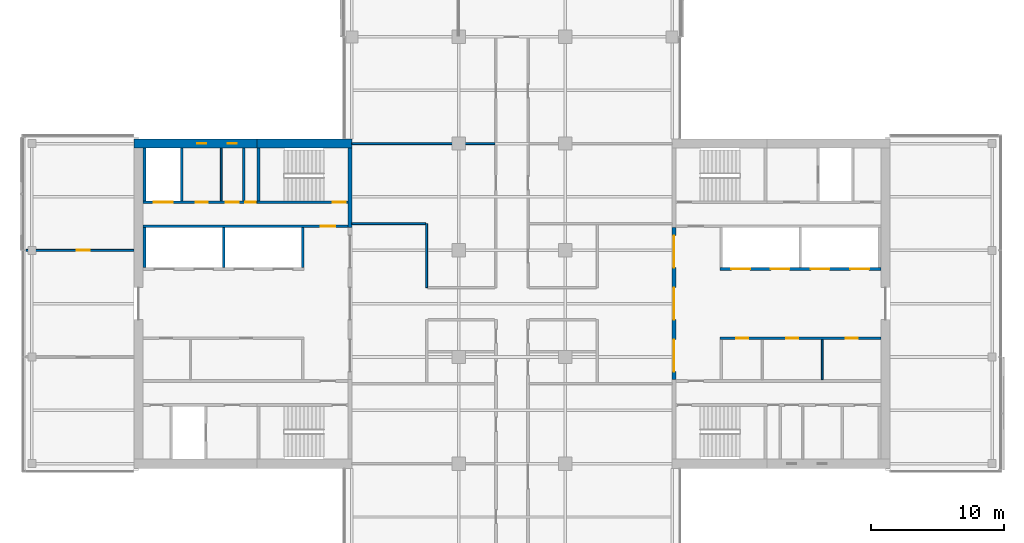
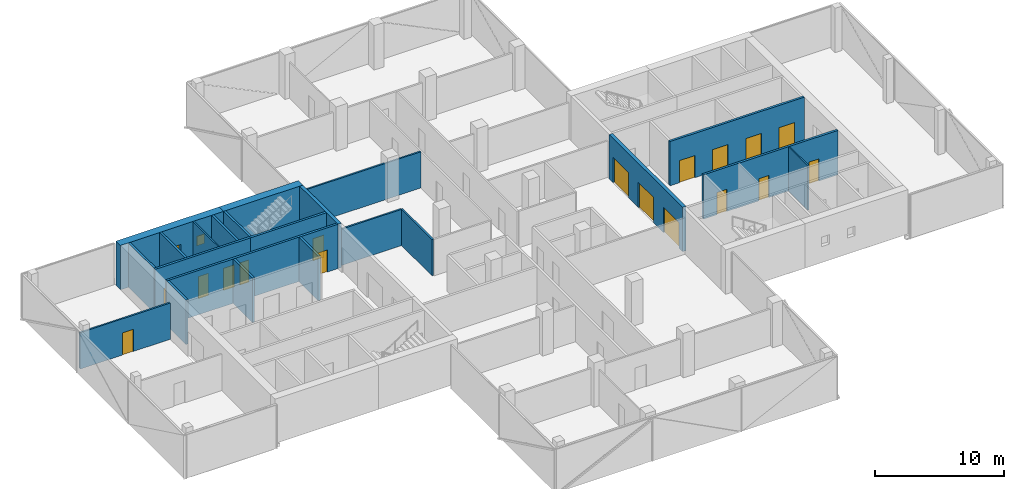
# One storey, part 15 of 22: 22 walls, 17 doors, 2 windows, 19 openings.
"""IFC4 building model written with IfcOpenShell, lengths in metres."""

from ifc_helpers import new_model, si_unit, direction, frame, frame_2d, origin, place, context, subcontext, project, spatial, rectangle, extrude, material, layer, layer_set, constituent, constituent_set, type_object, element, fill, save


model = new_model("IFC4")

# Units and contexts
model_context = context("Model", 3, precision=1e-05, world=origin(), true_north=direction((0.0, 1.0)))
body_context = subcontext(model_context, "Body", "Model", "MODEL_VIEW")
ifc_project = project(units=[si_unit("LENGTHUNIT", "METRE"), si_unit("AREAUNIT", "SQUARE_METRE"), si_unit("VOLUMEUNIT", "CUBIC_METRE"), si_unit("PLANEANGLEUNIT", "RADIAN"), si_unit("MASSUNIT", "GRAM", prefix="KILO")], contexts=[model_context])

# Site, building, storey
site_placement = place(None, origin())
site = spatial("IfcSite", under=ifc_project, at=site_placement, CompositionType="ELEMENT")
building_placement = place(site_placement, origin())
building = spatial("IfcBuilding", under=site, at=building_placement, Name="Crosswind Convention Tower", CompositionType="ELEMENT")
storey_placement = place(building_placement, frame((0.0, 0.0, 158.89990234375)))
storey = spatial("IfcBuildingStorey", under=building, at=storey_placement, Name="L33", CompositionType="ELEMENT", Elevation=158.89990234375)

# Wall
ifc_material_1 = material(Name="Concrete blockwork", Category="masonry")
ifc_layer_1 = layer(ifc_material_1, 0.199951171875)
ifc_layer_set_1 = layer_set([ifc_layer_1], Name="Blockwork partition wall 200")
wall_type_1 = type_object("IfcWallType", Name="Blockwork partition wall 200", PredefinedType="PARTITIONING", material=ifc_layer_set_1)
wall_1_placement = place(storey_placement, frame((104.89990234375, 111.64990234375, 0.0), z_axis=(0.0, 0.0, 1.0), x_axis=(0.0, -1.0, 0.0)))
element("IfcWall", 1, at=wall_1_placement, inside=storey, type_object=wall_type_1, Name="Wall MRSE W L33", PredefinedType="PARTITIONING", context=body_context, shape_type="SweptSolid", body=[
    extrude(rectangle(XDim=3.949951171875, YDim=0.199951171875, at=frame_2d((1.97509765625, 0.0))), origin(), (0.0, 0.0, 1.0), 4.2001953125),
])

# Wall, openings, doors
ifc_material_2 = material(Name="Concrete C50/60", Category="concrete")
ifc_layer_2 = layer(ifc_material_2, 0.300048828125)
ifc_layer_set_2 = layer_set([ifc_layer_2], Name="Concrete C50/60")
wall_type_2 = type_object("IfcWallType", Name="Concrete inner core wall 300", PredefinedType="SHEAR", material=ifc_layer_set_2)
wall_2_placement = place(storey_placement, frame((137.14990234375, 94.300048828125, 0.0), z_axis=(0.0, 0.0, 1.0), x_axis=(0.0, 1.0, 0.0)))
wall_2 = element("IfcWall", 2, at=wall_2_placement, inside=storey, type_object=wall_type_2, Name="Wall SCR E L33", PredefinedType="SHEAR", context=body_context, shape_type="SweptSolid", body=[
    extrude(rectangle(XDim=11.39990234375, YDim=0.300048828125, at=frame_2d((5.699951171875, 0.0))), origin(), (0.0, 0.0, 1.0), 4.2001953125),
])
opening_1_placement = place(wall_2_placement, frame((0.60009765625, 0.0, 0.0)))
opening_1 = element("IfcOpeningElement", 3, at=opening_1_placement, cuts=wall_2, Name="Opening D100", PredefinedType="OPENING", context=body_context, shape_type="SweptSolid", body=[
    extrude(rectangle(XDim=2.39990234375, YDim=2.39990234375, at=frame_2d((1.199951171875, 1.199951171875))), frame((0.0, 0.159912109375, 0.0), z_axis=(0.0, -1.0, 0.0), x_axis=(1.0, 0.0, 0.0)), (0.0, 0.0, 1.0), 0.320068359375),
])
opening_2_placement = place(wall_2_placement, frame((4.5, 0.0, 0.0)))
opening_2 = element("IfcOpeningElement", 4, at=opening_2_placement, cuts=wall_2, Name="Opening D100", PredefinedType="OPENING", context=body_context, shape_type="SweptSolid", body=[
    extrude(rectangle(XDim=2.39990234375, YDim=2.39990234375, at=frame_2d((1.199951171875, 1.199951171875))), frame((0.0, 0.159912109375, 0.0), z_axis=(0.0, -1.0, 0.0), x_axis=(1.0, 0.0, 0.0)), (0.0, 0.0, 1.0), 0.320068359375),
])
opening_3_placement = place(wall_2_placement, frame((8.39990234375, 0.0, 0.0)))
opening_3 = element("IfcOpeningElement", 5, at=opening_3_placement, cuts=wall_2, Name="Opening D100", PredefinedType="OPENING", context=body_context, shape_type="SweptSolid", body=[
    extrude(rectangle(XDim=2.39990234375, YDim=2.39990234375, at=frame_2d((1.199951171875, 1.199951171875))), frame((0.0, 0.159912109375, 0.0), z_axis=(0.0, -1.0, 0.0), x_axis=(1.0, 0.0, 0.0)), (0.0, 0.0, 1.0), 0.320068359375),
])
ifc_material_3 = material(Name="Steel fire door with glazed vision panels", Category="steel")
door_type_1 = type_object("IfcDoorType", Name="Fire-rated double door 2400x2400", OperationType="DOUBLE_DOOR_SINGLE_SWING", PredefinedType="DOOR", material=ifc_material_3)
door_1_placement = place(opening_1_placement, origin())
door_1 = element("IfcDoor", 6, at=door_1_placement, inside=storey, type_object=door_type_1, Name="Lobby door 1 L33", ObjectType="D100", OperationType="DOUBLE_DOOR_SINGLE_SWING", OverallHeight=2.39990234375, OverallWidth=2.39990234375, PredefinedType="DOOR", context=body_context, shape_type="SweptSolid", body=[
    extrude(rectangle(XDim=2.39990234375, YDim=2.39990234375, at=frame_2d((1.199951171875, 1.199951171875))), frame((0.0, 0.02490234375, 0.0), z_axis=(0.0, -1.0, 0.0), x_axis=(1.0, 0.0, 0.0)), (0.0, 0.0, 1.0), 0.050048828125),
])
fill(opening_1, door_1)
door_2_placement = place(opening_2_placement, origin())
door_2 = element("IfcDoor", 7, at=door_2_placement, inside=storey, type_object=door_type_1, Name="Lobby door 2 L33", ObjectType="D100", OperationType="DOUBLE_DOOR_SINGLE_SWING", OverallHeight=2.39990234375, OverallWidth=2.39990234375, PredefinedType="DOOR", context=body_context, shape_type="SweptSolid", body=[
    extrude(rectangle(XDim=2.39990234375, YDim=2.39990234375, at=frame_2d((1.199951171875, 1.199951171875))), frame((0.0, 0.02490234375, 0.0), z_axis=(0.0, -1.0, 0.0), x_axis=(1.0, 0.0, 0.0)), (0.0, 0.0, 1.0), 0.050048828125),
])
fill(opening_2, door_2)
door_3_placement = place(opening_3_placement, origin())
door_3 = element("IfcDoor", 8, at=door_3_placement, inside=storey, type_object=door_type_1, Name="Lobby door 3 L33", ObjectType="D100", OperationType="DOUBLE_DOOR_SINGLE_SWING", OverallHeight=2.39990234375, OverallWidth=2.39990234375, PredefinedType="DOOR", context=body_context, shape_type="SweptSolid", body=[
    extrude(rectangle(XDim=2.39990234375, YDim=2.39990234375, at=frame_2d((1.199951171875, 1.199951171875))), frame((0.0, 0.02490234375, 0.0), z_axis=(0.0, -1.0, 0.0), x_axis=(1.0, 0.0, 0.0)), (0.0, 0.0, 1.0), 0.050048828125),
])
fill(opening_3, door_3)

# Wall
wall_3_placement = place(storey_placement, frame((112.85009765625, 111.64990234375, 0.0), z_axis=(0.0, 0.0, 1.0), x_axis=(0.0, -1.0, 0.0)))
element("IfcWall", 9, at=wall_3_placement, inside=storey, type_object=wall_type_2, Name="Wall EM W L33", PredefinedType="SHEAR", context=body_context, shape_type="SweptSolid", body=[
    extrude(rectangle(XDim=5.949951171875, YDim=0.300048828125, at=frame_2d((2.97509765625, 0.0))), origin(), (0.0, 0.0, 1.0), 4.2001953125),
])

# Wall, openings, doors
ifc_layer_3 = layer(ifc_material_2, 0.199951171875)
ifc_layer_set_3 = layer_set([ifc_layer_3], Name="Concrete C50/60")
wall_type_3 = type_object("IfcWallType", Name="Concrete shaft and stair wall 200", PredefinedType="SHEAR", material=ifc_layer_set_3)
wall_4_placement = place(storey_placement, frame((140.60009765625, 102.60009765625, 0.0), z_axis=(0.0, 0.0, 1.0), x_axis=(1.0, 0.0, 0.0)))
wall_4 = element("IfcWall", 10, at=wall_4_placement, inside=storey, type_object=wall_type_3, Name="Wall RPFRONT E L33", PredefinedType="SHEAR", context=body_context, shape_type="SweptSolid", body=[
    extrude(rectangle(XDim=12.0498046875, YDim=0.199951171875, at=frame_2d((6.02490234375, 0.0))), origin(), (0.0, 0.0, 1.0), 4.2001953125),
])
opening_4_placement = place(wall_4_placement, frame((0.85009765625, 0.0, 0.0)))
opening_4 = element("IfcOpeningElement", 11, at=opening_4_placement, cuts=wall_4, Name="Opening LD2", PredefinedType="OPENING", context=body_context, shape_type="SweptSolid", body=[
    extrude(rectangle(XDim=1.39990234375, YDim=2.10009765625, at=frame_2d((0.699951171875, 1.050048828125))), frame((0.0, 0.10986328125, 0.0), z_axis=(0.0, -1.0, 0.0), x_axis=(1.0, 0.0, 0.0)), (0.0, 0.0, 1.0), 0.219970703125),
])
opening_5_placement = place(wall_4_placement, frame((3.800048828125, 0.0, 0.0)))
opening_5 = element("IfcOpeningElement", 12, at=opening_5_placement, cuts=wall_4, Name="Opening LD2", PredefinedType="OPENING", context=body_context, shape_type="SweptSolid", body=[
    extrude(rectangle(XDim=1.39990234375, YDim=2.10009765625, at=frame_2d((0.699951171875, 1.050048828125))), frame((0.0, 0.10986328125, 0.0), z_axis=(0.0, -1.0, 0.0), x_axis=(1.0, 0.0, 0.0)), (0.0, 0.0, 1.0), 0.219970703125),
])
opening_6_placement = place(wall_4_placement, frame((6.800048828125, 0.0, 0.0)))
opening_6 = element("IfcOpeningElement", 13, at=opening_6_placement, cuts=wall_4, Name="Opening LD2", PredefinedType="OPENING", context=body_context, shape_type="SweptSolid", body=[
    extrude(rectangle(XDim=1.39990234375, YDim=2.10009765625, at=frame_2d((0.699951171875, 1.050048828125))), frame((0.0, 0.10986328125, 0.0), z_axis=(0.0, -1.0, 0.0), x_axis=(1.0, 0.0, 0.0)), (0.0, 0.0, 1.0), 0.219970703125),
])
opening_7_placement = place(wall_4_placement, frame((9.77490234375, 0.0, 0.0)))
opening_7 = element("IfcOpeningElement", 14, at=opening_7_placement, cuts=wall_4, Name="Opening LD2", PredefinedType="OPENING", context=body_context, shape_type="SweptSolid", body=[
    extrude(rectangle(XDim=1.39990234375, YDim=2.10009765625, at=frame_2d((0.699951171875, 1.050048828125))), frame((0.0, 0.10986328125, 0.0), z_axis=(0.0, -1.0, 0.0), x_axis=(1.0, 0.0, 0.0)), (0.0, 0.0, 1.0), 0.219970703125),
])
ifc_material_4 = material(Name="Stainless steel", Category="steel")
door_type_2 = type_object("IfcDoorType", Name="Lift landing door 1400x2100", OperationType="DOUBLE_DOOR_SLIDING", PredefinedType="DOOR", material=ifc_material_4)
door_4_placement = place(opening_4_placement, origin())
door_4 = element("IfcDoor", 15, at=door_4_placement, inside=storey, type_object=door_type_2, Name="Landing door A1 L33", ObjectType="LD2", OperationType="DOUBLE_DOOR_SLIDING", OverallHeight=2.10009765625, OverallWidth=1.39990234375, PredefinedType="DOOR", context=body_context, shape_type="SweptSolid", body=[
    extrude(rectangle(XDim=1.39990234375, YDim=2.10009765625, at=frame_2d((0.699951171875, 1.050048828125))), frame((0.0, 0.02490234375, 0.0), z_axis=(0.0, -1.0, 0.0), x_axis=(1.0, 0.0, 0.0)), (0.0, 0.0, 1.0), 0.050048828125),
])
fill(opening_4, door_4)
door_5_placement = place(opening_5_placement, origin())
door_5 = element("IfcDoor", 16, at=door_5_placement, inside=storey, type_object=door_type_2, Name="Landing door A2 L33", ObjectType="LD2", OperationType="DOUBLE_DOOR_SLIDING", OverallHeight=2.10009765625, OverallWidth=1.39990234375, PredefinedType="DOOR", context=body_context, shape_type="SweptSolid", body=[
    extrude(rectangle(XDim=1.39990234375, YDim=2.10009765625, at=frame_2d((0.699951171875, 1.050048828125))), frame((0.0, 0.02490234375, 0.0), z_axis=(0.0, -1.0, 0.0), x_axis=(1.0, 0.0, 0.0)), (0.0, 0.0, 1.0), 0.050048828125),
])
fill(opening_5, door_5)
door_6_placement = place(opening_6_placement, origin())
door_6 = element("IfcDoor", 17, at=door_6_placement, inside=storey, type_object=door_type_2, Name="Landing door A3 L33", ObjectType="LD2", OperationType="DOUBLE_DOOR_SLIDING", OverallHeight=2.10009765625, OverallWidth=1.39990234375, PredefinedType="DOOR", context=body_context, shape_type="SweptSolid", body=[
    extrude(rectangle(XDim=1.39990234375, YDim=2.10009765625, at=frame_2d((0.699951171875, 1.050048828125))), frame((0.0, 0.02490234375, 0.0), z_axis=(0.0, -1.0, 0.0), x_axis=(1.0, 0.0, 0.0)), (0.0, 0.0, 1.0), 0.050048828125),
])
fill(opening_6, door_6)
door_7_placement = place(opening_7_placement, origin())
door_7 = element("IfcDoor", 18, at=door_7_placement, inside=storey, type_object=door_type_2, Name="Landing door A4 L33", ObjectType="LD2", OperationType="DOUBLE_DOOR_SLIDING", OverallHeight=2.10009765625, OverallWidth=1.39990234375, PredefinedType="DOOR", context=body_context, shape_type="SweptSolid", body=[
    extrude(rectangle(XDim=1.39990234375, YDim=2.10009765625, at=frame_2d((0.699951171875, 1.050048828125))), frame((0.0, 0.02490234375, 0.0), z_axis=(0.0, -1.0, 0.0), x_axis=(1.0, 0.0, 0.0)), (0.0, 0.0, 1.0), 0.050048828125),
])
fill(opening_7, door_7)

wall_5_placement = place(storey_placement, frame((140.60009765625, 97.39990234375, 0.0), z_axis=(0.0, 0.0, 1.0), x_axis=(1.0, 0.0, 0.0)))
wall_5 = element("IfcWall", 19, at=wall_5_placement, inside=storey, type_object=wall_type_3, Name="Wall RMFRONT E L33", PredefinedType="SHEAR", context=body_context, shape_type="SweptSolid", body=[
    extrude(rectangle(XDim=12.0498046875, YDim=0.199951171875, at=frame_2d((6.02490234375, 0.0))), origin(), (0.0, 0.0, 1.0), 4.2001953125),
])
opening_8_placement = place(wall_5_placement, frame((1.199951171875, 0.0, 0.0)))
opening_8 = element("IfcOpeningElement", 20, at=opening_8_placement, cuts=wall_5, Name="Opening D106", PredefinedType="OPENING", context=body_context, shape_type="SweptSolid", body=[
    extrude(rectangle(XDim=0.89990234375, YDim=2.10009765625, at=frame_2d((0.449951171875, 1.050048828125))), frame((0.0, 0.10986328125, 0.0), z_axis=(0.0, -1.0, 0.0), x_axis=(1.0, 0.0, 0.0)), (0.0, 0.0, 1.0), 0.219970703125),
])
opening_9_placement = place(wall_5_placement, frame((4.964111328125, 0.0, 0.0)))
opening_9 = element("IfcOpeningElement", 21, at=opening_9_placement, cuts=wall_5, Name="Opening D106", PredefinedType="OPENING", context=body_context, shape_type="SweptSolid", body=[
    extrude(rectangle(XDim=0.89990234375, YDim=2.10009765625, at=frame_2d((0.449951171875, 1.050048828125))), frame((0.0, 0.10986328125, 0.0), z_axis=(0.0, -1.0, 0.0), x_axis=(1.0, 0.0, 0.0)), (0.0, 0.0, 1.0), 0.219970703125),
])
opening_10_placement = place(wall_5_placement, frame((9.43896484375, 0.0, 0.0)))
opening_10 = element("IfcOpeningElement", 22, at=opening_10_placement, cuts=wall_5, Name="Opening D106", PredefinedType="OPENING", context=body_context, shape_type="SweptSolid", body=[
    extrude(rectangle(XDim=0.89990234375, YDim=2.10009765625, at=frame_2d((0.449951171875, 1.050048828125))), frame((0.0, 0.10986328125, 0.0), z_axis=(0.0, -1.0, 0.0), x_axis=(1.0, 0.0, 0.0)), (0.0, 0.0, 1.0), 0.219970703125),
])
ifc_material_5 = material(Name="Timber door", Category="wood")
door_type_3 = type_object("IfcDoorType", Name="Single leaf door 900x2100", OperationType="NOTDEFINED", PredefinedType="DOOR", material=ifc_material_5)
door_8_placement = place(opening_8_placement, frame((0.89990234375, 0.0, 0.0), z_axis=(0.0, 0.0, 1.0), x_axis=(-1.0, 0.0, 0.0)))
door_8 = element("IfcDoor", 23, at=door_8_placement, inside=storey, type_object=door_type_3, Name="Door to copy and print room L33", ObjectType="D106", OperationType="SINGLE_SWING_LEFT", OverallHeight=2.10009765625, OverallWidth=0.89990234375, PredefinedType="DOOR", context=body_context, shape_type="SweptSolid", body=[
    extrude(rectangle(XDim=0.89990234375, YDim=2.10009765625, at=frame_2d((0.449951171875, 1.050048828125))), frame((0.0, 0.02490234375, 0.0), z_axis=(0.0, -1.0, 0.0), x_axis=(1.0, 0.0, 0.0)), (0.0, 0.0, 1.0), 0.050048828125),
])
fill(opening_8, door_8)
door_9_placement = place(opening_9_placement, frame((0.89990234375, 0.0, 0.0), z_axis=(0.0, 0.0, 1.0), x_axis=(-1.0, 0.0, 0.0)))
door_9 = element("IfcDoor", 24, at=door_9_placement, inside=storey, type_object=door_type_3, Name="Door to meeting room L33", ObjectType="D106", OperationType="SINGLE_SWING_LEFT", OverallHeight=2.10009765625, OverallWidth=0.89990234375, PredefinedType="DOOR", context=body_context, shape_type="SweptSolid", body=[
    extrude(rectangle(XDim=0.89990234375, YDim=2.10009765625, at=frame_2d((0.449951171875, 1.050048828125))), frame((0.0, 0.02490234375, 0.0), z_axis=(0.0, -1.0, 0.0), x_axis=(1.0, 0.0, 0.0)), (0.0, 0.0, 1.0), 0.050048828125),
])
fill(opening_9, door_9)
door_10_placement = place(opening_10_placement, frame((0.89990234375, 0.0, 0.0), z_axis=(0.0, 0.0, 1.0), x_axis=(-1.0, 0.0, 0.0)))
door_10 = element("IfcDoor", 25, at=door_10_placement, inside=storey, type_object=door_type_3, Name="Door to pantry L33", ObjectType="D106", OperationType="SINGLE_SWING_LEFT", OverallHeight=2.10009765625, OverallWidth=0.89990234375, PredefinedType="DOOR", context=body_context, shape_type="SweptSolid", body=[
    extrude(rectangle(XDim=0.89990234375, YDim=2.10009765625, at=frame_2d((0.449951171875, 1.050048828125))), frame((0.0, 0.02490234375, 0.0), z_axis=(0.0, -1.0, 0.0), x_axis=(1.0, 0.0, 0.0)), (0.0, 0.0, 1.0), 0.050048828125),
])
fill(opening_10, door_10)

# Walls
for number, where, z_axis, x_axis, name in (
    (26, (109.300048828125, 105.699951171875, 0.0), (0.0, 0.0, 1.0), (0.0, -1.0, 0.0), "Wall RMEND W L33"),
    (27, (103.39990234375, 105.699951171875, 0.0), (0.0, 0.0, 1.0), (0.0, -1.0, 0.0), "Wall RMSEP W L33"),
    (28, (97.449951171875, 105.699951171875, 0.0), (0.0, 0.0, 1.0), (0.0, -1.0, 0.0), "Wall RMEAST W L33"),
):
    element("IfcWall", number, at=place(storey_placement, frame(where, z_axis=z_axis, x_axis=x_axis)), inside=storey, type_object=wall_type_3, Name=name, PredefinedType="SHEAR", context=body_context, shape_type="SweptSolid", body=[
        extrude(rectangle(XDim=3.0, YDim=0.199951171875, at=frame_2d((1.5, 0.0))), origin(), (0.0, 0.0, 1.0), 4.2001953125),
    ])

# Wall, opening, door
wall_6_placement = place(storey_placement, frame((112.699951171875, 105.800048828125, 0.0), z_axis=(0.0, 0.0, 1.0), x_axis=(-1.0, 0.0, 0.0)))
wall_6 = element("IfcWall", 29, at=wall_6_placement, inside=storey, type_object=wall_type_3, Name="Wall HM W L33", PredefinedType="SHEAR", context=body_context, shape_type="SweptSolid", body=[
    extrude(rectangle(XDim=15.349853515625, YDim=0.199951171875, at=frame_2d((7.6748046875, 0.0))), origin(), (0.0, 0.0, 1.0), 4.2001953125),
])
opening_11_placement = place(wall_6_placement, frame((0.949951171875, 0.0, 0.0)))
opening_11 = element("IfcOpeningElement", 30, at=opening_11_placement, cuts=wall_6, Name="Opening D104", PredefinedType="OPENING", context=body_context, shape_type="SweptSolid", body=[
    extrude(rectangle(XDim=1.10009765625, YDim=2.10009765625, at=frame_2d((0.550048828125, 1.050048828125))), frame((0.0, 0.10986328125, 0.0), z_axis=(0.0, -1.0, 0.0), x_axis=(1.0, 0.0, 0.0)), (0.0, 0.0, 1.0), 0.219970703125),
])
ifc_material_6 = material(Name="Steel fire door", Category="steel")
door_type_4 = type_object("IfcDoorType", Name="Fire-rated single door 1100x2100", OperationType="NOTDEFINED", PredefinedType="DOOR", material=ifc_material_6)
door_11_placement = place(opening_11_placement, origin())
door_11 = element("IfcDoor", 31, at=door_11_placement, inside=storey, type_object=door_type_4, Name="Corridor door L33", ObjectType="D104", OperationType="SINGLE_SWING_LEFT", OverallHeight=2.10009765625, OverallWidth=1.10009765625, PredefinedType="DOOR", context=body_context, shape_type="SweptSolid", body=[
    extrude(rectangle(XDim=1.10009765625, YDim=2.10009765625, at=frame_2d((0.550048828125, 1.050048828125))), frame((0.0, 0.02490234375, 0.0), z_axis=(0.0, -1.0, 0.0), x_axis=(1.0, 0.0, 0.0)), (0.0, 0.0, 1.0), 0.050048828125),
])
fill(opening_11, door_11)

# Walls
for number, where, z_axis, x_axis, name in (
    (32, (106.0, 111.64990234375, 0.0), (0.0, 0.0, 1.0), (0.0, -1.0, 0.0), "Wall MSE W L33"),
    (33, (100.25, 111.64990234375, 0.0), (0.0, 0.0, 1.0), (0.0, -1.0, 0.0), "Wall MFSW W L33"),
    (34, (97.449951171875, 111.64990234375, 0.0), (0.0, 0.0, 1.0), (0.0, -1.0, 0.0), "Wall MFSE W L33"),
):
    element("IfcWall", number, at=place(storey_placement, frame(where, z_axis=z_axis, x_axis=x_axis)), inside=storey, type_object=wall_type_3, Name=name, PredefinedType="SHEAR", context=body_context, shape_type="SweptSolid", body=[
        extrude(rectangle(XDim=3.949951171875, YDim=0.199951171875, at=frame_2d((1.97509765625, 0.0))), origin(), (0.0, 0.0, 1.0), 4.2001953125),
    ])

# Wall, opening, door
wall_7_placement = place(storey_placement, frame((112.699951171875, 107.60009765625, 0.0), z_axis=(0.0, 0.0, 1.0), x_axis=(-1.0, 0.0, 0.0)))
wall_7 = element("IfcWall", 35, at=wall_7_placement, inside=storey, type_object=wall_type_3, Name="Wall MCW W L33", PredefinedType="SHEAR", context=body_context, shape_type="SweptSolid", body=[
    extrude(rectangle(XDim=6.800048828125, YDim=0.199951171875, at=frame_2d((3.39990234375, 0.0))), origin(), (0.0, 0.0, 1.0), 4.2001953125),
])
opening_12_placement = place(wall_7_placement, frame((0.14990234375, 0.0, 0.0)))
opening_12 = element("IfcOpeningElement", 36, at=opening_12_placement, cuts=wall_7, Name="Opening D103", PredefinedType="OPENING", context=body_context, shape_type="SweptSolid", body=[
    extrude(rectangle(XDim=1.0, YDim=2.10009765625, at=frame_2d((0.5, 1.050048828125))), frame((0.0, 0.10986328125, 0.0), z_axis=(0.0, -1.0, 0.0), x_axis=(1.0, 0.0, 0.0)), (0.0, 0.0, 1.0), 0.219970703125),
])
door_type_5 = type_object("IfcDoorType", Name="Fire-rated single door 1000x2100", OperationType="NOTDEFINED", PredefinedType="DOOR", material=ifc_material_6)
door_12_placement = place(opening_12_placement, frame((1.0, 0.0, 0.0), z_axis=(0.0, 0.0, 1.0), x_axis=(-1.0, 0.0, 0.0)))
door_12 = element("IfcDoor", 37, at=door_12_placement, inside=storey, type_object=door_type_5, Name="Stair ST4 door L33", ObjectType="D103", OperationType="SINGLE_SWING_RIGHT", OverallHeight=2.10009765625, OverallWidth=1.0, PredefinedType="DOOR", context=body_context, shape_type="SweptSolid", body=[
    extrude(rectangle(XDim=1.0, YDim=2.10009765625, at=frame_2d((0.5, 1.050048828125))), frame((0.0, 0.02490234375, 0.0), z_axis=(0.0, -1.0, 0.0), x_axis=(1.0, 0.0, 0.0)), (0.0, 0.0, 1.0), 0.050048828125),
])
fill(opening_12, door_12)

# Wall, openings, doors
wall_8_placement = place(storey_placement, frame((105.89990234375, 107.60009765625, 0.0), z_axis=(0.0, 0.0, 1.0), x_axis=(-1.0, 0.0, 0.0)))
wall_8 = element("IfcWall", 38, at=wall_8_placement, inside=storey, type_object=wall_type_3, Name="Wall MCX W L33", PredefinedType="SHEAR", context=body_context, shape_type="SweptSolid", body=[
    extrude(rectangle(XDim=8.5498046875, YDim=0.199951171875, at=frame_2d((4.27490234375, 0.0))), origin(), (0.0, 0.0, 1.0), 4.2001953125),
])
opening_13_placement = place(wall_8_placement, frame((0.10009765625, 0.0, 0.0)))
opening_13 = element("IfcOpeningElement", 39, at=opening_13_placement, cuts=wall_8, Name="Opening D105", PredefinedType="OPENING", context=body_context, shape_type="SweptSolid", body=[
    extrude(rectangle(XDim=0.800048828125, YDim=2.10009765625, at=frame_2d((0.39990234375, 1.050048828125))), frame((0.0, 0.10986328125, 0.0), z_axis=(0.0, -1.0, 0.0), x_axis=(1.0, 0.0, 0.0)), (0.0, 0.0, 1.0), 0.219970703125),
])
opening_14_placement = place(wall_8_placement, frame((1.36962890625, 0.0, 0.0)))
opening_14 = element("IfcOpeningElement", 40, at=opening_14_placement, cuts=wall_8, Name="Opening D103", PredefinedType="OPENING", context=body_context, shape_type="SweptSolid", body=[
    extrude(rectangle(XDim=1.0, YDim=2.10009765625, at=frame_2d((0.5, 1.050048828125))), frame((0.0, 0.10986328125, 0.0), z_axis=(0.0, -1.0, 0.0), x_axis=(1.0, 0.0, 0.0)), (0.0, 0.0, 1.0), 0.219970703125),
])
opening_15_placement = place(wall_8_placement, frame((3.707275390625, 0.0, 0.0)))
opening_15 = element("IfcOpeningElement", 41, at=opening_15_placement, cuts=wall_8, Name="Opening D106", PredefinedType="OPENING", context=body_context, shape_type="SweptSolid", body=[
    extrude(rectangle(XDim=0.89990234375, YDim=2.10009765625, at=frame_2d((0.449951171875, 1.050048828125))), frame((0.0, 0.10986328125, 0.0), z_axis=(0.0, -1.0, 0.0), x_axis=(1.0, 0.0, 0.0)), (0.0, 0.0, 1.0), 0.219970703125),
])
opening_16_placement = place(wall_8_placement, frame((6.35009765625, 0.0, 0.0)))
opening_16 = element("IfcOpeningElement", 42, at=opening_16_placement, cuts=wall_8, Name="Opening LD2", PredefinedType="OPENING", context=body_context, shape_type="SweptSolid", body=[
    extrude(rectangle(XDim=1.39990234375, YDim=2.10009765625, at=frame_2d((0.699951171875, 1.050048828125))), frame((0.0, 0.10986328125, 0.0), z_axis=(0.0, -1.0, 0.0), x_axis=(1.0, 0.0, 0.0)), (0.0, 0.0, 1.0), 0.219970703125),
])
door_13_placement = place(opening_14_placement, frame((1.0, 0.0, 0.0), z_axis=(0.0, 0.0, 1.0), x_axis=(-1.0, 0.0, 0.0)))
door_13 = element("IfcDoor", 43, at=door_13_placement, inside=storey, type_object=door_type_5, Name="Door to accessible wc L33", ObjectType="D103", OperationType="SINGLE_SWING_LEFT", OverallHeight=2.10009765625, OverallWidth=1.0, PredefinedType="DOOR", context=body_context, shape_type="SweptSolid", body=[
    extrude(rectangle(XDim=1.0, YDim=2.10009765625, at=frame_2d((0.5, 1.050048828125))), frame((0.0, 0.02490234375, 0.0), z_axis=(0.0, -1.0, 0.0), x_axis=(1.0, 0.0, 0.0)), (0.0, 0.0, 1.0), 0.050048828125),
])
fill(opening_14, door_13)
door_14_placement = place(opening_16_placement, origin())
door_14 = element("IfcDoor", 44, at=door_14_placement, inside=storey, type_object=door_type_2, Name="Landing door SV2 L33", ObjectType="LD2", OperationType="DOUBLE_DOOR_SLIDING", OverallHeight=2.10009765625, OverallWidth=1.39990234375, PredefinedType="DOOR", context=body_context, shape_type="SweptSolid", body=[
    extrude(rectangle(XDim=1.39990234375, YDim=2.10009765625, at=frame_2d((0.699951171875, 1.050048828125))), frame((0.0, 0.02490234375, 0.0), z_axis=(0.0, -1.0, 0.0), x_axis=(1.0, 0.0, 0.0)), (0.0, 0.0, 1.0), 0.050048828125),
])
fill(opening_16, door_14)
door_type_6 = type_object("IfcDoorType", Name="Riser access door 800x2100", OperationType="NOTDEFINED", PredefinedType="DOOR", material=ifc_material_6)
door_15_placement = place(opening_13_placement, frame((0.800048828125, 0.0, 0.0), z_axis=(0.0, 0.0, 1.0), x_axis=(-1.0, 0.0, 0.0)))
door_15 = element("IfcDoor", 45, at=door_15_placement, inside=storey, type_object=door_type_6, Name="Riser door L33", ObjectType="D105", OperationType="SINGLE_SWING_LEFT", OverallHeight=2.10009765625, OverallWidth=0.800048828125, PredefinedType="DOOR", context=body_context, shape_type="SweptSolid", body=[
    extrude(rectangle(XDim=0.800048828125, YDim=2.10009765625, at=frame_2d((0.39990234375, 1.050048828125))), frame((0.0, 0.02490234375, 0.0), z_axis=(0.0, -1.0, 0.0), x_axis=(1.0, 0.0, 0.0)), (0.0, 0.0, 1.0), 0.050048828125),
])
fill(opening_13, door_15)
door_16_placement = place(opening_15_placement, frame((0.89990234375, 0.0, 0.0), z_axis=(0.0, 0.0, 1.0), x_axis=(-1.0, 0.0, 0.0)))
door_16 = element("IfcDoor", 46, at=door_16_placement, inside=storey, type_object=door_type_3, Name="Door to wc L33", ObjectType="D106", OperationType="SINGLE_SWING_LEFT", OverallHeight=2.10009765625, OverallWidth=0.89990234375, PredefinedType="DOOR", context=body_context, shape_type="SweptSolid", body=[
    extrude(rectangle(XDim=0.89990234375, YDim=2.10009765625, at=frame_2d((0.449951171875, 1.050048828125))), frame((0.0, 0.02490234375, 0.0), z_axis=(0.0, -1.0, 0.0), x_axis=(1.0, 0.0, 0.0)), (0.0, 0.0, 1.0), 0.050048828125),
])
fill(opening_15, door_16)

# Walls
ifc_material_7 = material(Name="Gypsum plasterboard partition", Category="gypsum")
ifc_layer_4 = layer(ifc_material_7, 0.125)
ifc_layer_set_4 = layer_set([ifc_layer_4], Name="Drywall partition wall 125")
wall_type_4 = type_object("IfcWallType", Name="Drywall partition wall 125", PredefinedType="PARTITIONING", material=ifc_layer_set_4)
wall_9_placement = place(storey_placement, frame((148.265380859375, 94.300048828125, 0.0), z_axis=(0.0, 0.0, 1.0), x_axis=(0.0, 1.0, 0.0)))
element("IfcWall", 47, at=wall_9_placement, inside=storey, type_object=wall_type_4, Name="Wall RMP2 E L33", PredefinedType="PARTITIONING", context=body_context, shape_type="SweptSolid", body=[
    extrude(rectangle(XDim=3.0, YDim=0.125, at=frame_2d((1.5, 0.0))), origin(), (0.0, 0.0, 1.0), 4.2001953125),
])
wall_10_placement = place(storey_placement, frame((103.197998046875, 111.64990234375, 0.0), z_axis=(0.0, 0.0, 1.0), x_axis=(0.0, -1.0, 0.0)))
element("IfcWall", 48, at=wall_10_placement, inside=storey, type_object=wall_type_4, Name="Wall MWP1 W L33", PredefinedType="PARTITIONING", context=body_context, shape_type="SweptSolid", body=[
    extrude(rectangle(XDim=3.949951171875, YDim=0.125, at=frame_2d((1.97509765625, 0.0))), origin(), (0.0, 0.0, 1.0), 4.2001953125),
])
ifc_material_8 = material(Name="Fire-board partition with mineral wool", Category="gypsum")
ifc_layer_5 = layer(ifc_material_8, 0.14990234375)
ifc_layer_set_5 = layer_set([ifc_layer_5], Name="TENANCY WALL 150 TWO-HOUR BOARD")
wall_type_5 = type_object("IfcWallType", Name="TENANCY WALL 150 TWO-HOUR BOARD", PredefinedType="PARTITIONING", material=ifc_layer_set_5)
wall_11_placement = place(storey_placement, frame((118.60009765625, 101.199951171875, 0.0), z_axis=(0.0, 0.0, 1.0), x_axis=(0.0, 1.0, 0.0)))
element("IfcWall", 49, at=wall_11_placement, inside=storey, type_object=wall_type_5, Name="Tenancy wall WT41", PredefinedType="PARTITIONING", context=body_context, shape_type="SweptSolid", body=[
    extrude(rectangle(XDim=4.800048828125, YDim=0.14990234375, at=frame_2d((2.39990234375, 0.0))), origin(), (0.0, 0.0, 1.0), 3.4365234375),
])

# Wall, opening, door
wall_12_placement = place(storey_placement, frame((88.580078125, 104.0, 0.0), z_axis=(0.0, 0.0, 1.0), x_axis=(1.0, 0.0, 0.0)))
wall_12 = element("IfcWall", 50, at=wall_12_placement, inside=storey, type_object=wall_type_5, Name="Tenancy wall WT41", PredefinedType="PARTITIONING", context=body_context, shape_type="SweptSolid", body=[
    extrude(rectangle(XDim=8.06982421875, YDim=0.14990234375, at=frame_2d((4.034912109375, 0.0))), origin(), (0.0, 0.0, 1.0), 3.4365234375),
])
opening_17_placement = place(wall_12_placement, frame((3.77001953125, 0.0, 0.0)))
opening_17 = element("IfcOpeningElement", 51, at=opening_17_placement, cuts=wall_12, Name="Opening L33-66", PredefinedType="OPENING", context=body_context, shape_type="SweptSolid", body=[
    extrude(rectangle(XDim=1.0, YDim=2.10009765625, at=frame_2d((0.5, 1.050048828125))), frame((0.0, 0.0849609375, 0.0), z_axis=(0.0, -1.0, 0.0), x_axis=(1.0, 0.0, 0.0)), (0.0, 0.0, 1.0), 0.169921875),
])
ifc_material_9 = material(Name="Timber fire door", Category="wood")
door_type_7 = type_object("IfcDoorType", Name="TENANCY ENTRANCE DOOR 1000X2100 FD30S", OperationType="NOTDEFINED", PredefinedType="DOOR", material=ifc_material_9)
door_17_placement = place(opening_17_placement, origin())
door_17 = element("IfcDoor", 52, at=door_17_placement, inside=storey, type_object=door_type_7, Name="Door L33-66", ObjectType="D41", OperationType="SINGLE_SWING_LEFT", OverallHeight=2.10009765625, OverallWidth=1.0, PredefinedType="DOOR", context=body_context, shape_type="SweptSolid", body=[
    extrude(rectangle(XDim=1.0, YDim=2.10009765625, at=frame_2d((0.5, 1.050048828125))), frame((0.0, 0.02490234375, 0.0), z_axis=(0.0, -1.0, 0.0), x_axis=(1.0, 0.0, 0.0)), (0.0, 0.0, 1.0), 0.050048828125),
])
fill(opening_17, door_17)

# Walls
wall_13_placement = place(storey_placement, frame((113.0, 106.0, 0.0), z_axis=(0.0, 0.0, 1.0), x_axis=(1.0, 0.0, 0.0)))
element("IfcWall", 53, at=wall_13_placement, inside=storey, type_object=wall_type_5, Name="Tenancy wall WT41", PredefinedType="PARTITIONING", context=body_context, shape_type="SweptSolid", body=[
    extrude(rectangle(XDim=5.52490234375, YDim=0.14990234375, at=frame_2d((2.762451171875, 0.0))), origin(), (0.0, 0.0, 1.0), 3.4365234375),
])
wall_14_placement = place(storey_placement, frame((113.0, 112.0, 0.0), z_axis=(0.0, 0.0, 1.0), x_axis=(1.0, 0.0, 0.0)))
element("IfcWall", 54, at=wall_14_placement, inside=storey, type_object=wall_type_5, Name="Tenancy wall WT41", PredefinedType="PARTITIONING", context=body_context, shape_type="SweptSolid", body=[
    extrude(rectangle(XDim=10.72509765625, YDim=0.14990234375, at=frame_2d((5.362548828125, 0.0))), origin(), (0.0, 0.0, 1.0), 3.4365234375),
])
ifc_material_10 = material(Name="Concrete C60/75", Category="concrete")
ifc_constituent_1 = constituent(ifc_material_10, Name="Structure")
ifc_material_11 = material(Name="Terracotta rainscreen", Category="ceramic")
ifc_constituent_2 = constituent(ifc_material_11, Name="Facing")
ifc_constituent_set = constituent_set(constituents=[ifc_constituent_1, ifc_constituent_2], Name="Concrete C60/75, Terracotta rainscreen")
wall_type_6 = type_object("IfcWallType", Name="Terracotta rainscreen on concrete core wall 700", PredefinedType="SHEAR", material=ifc_constituent_set)
wall_15_placement = place(storey_placement, frame((113.0, 112.0, 0.0), z_axis=(0.0, 0.0, 1.0), x_axis=(-1.0, 0.0, 0.0)))
element("IfcWall", 55, at=wall_15_placement, inside=storey, type_object=wall_type_6, Name="Wall S1 W L33", PredefinedType="SHEAR", context=body_context, shape_type="SweptSolid", body=[
    extrude(rectangle(XDim=7.10009765625, YDim=0.699951171875, at=frame_2d((3.550048828125, 0.0))), origin(), (0.0, 0.0, 1.0), 4.2001953125),
])

# Wall, openings, windows
wall_16_placement = place(storey_placement, frame((105.89990234375, 112.0, 0.0), z_axis=(0.0, 0.0, 1.0), x_axis=(-1.0, 0.0, 0.0)))
wall_16 = element("IfcWall", 56, at=wall_16_placement, inside=storey, type_object=wall_type_6, Name="Wall S2 W L33", PredefinedType="SHEAR", context=body_context, shape_type="SweptSolid", body=[
    extrude(rectangle(XDim=9.25, YDim=0.699951171875, at=frame_2d((4.625, 0.0))), origin(), (0.0, 0.0, 1.0), 4.2001953125),
])
opening_18_placement = place(wall_16_placement, frame((1.519775390625, 0.0, 1.5)))
opening_18 = element("IfcOpeningElement", 57, at=opening_18_placement, cuts=wall_16, Name="Opening W2", PredefinedType="OPENING", context=body_context, shape_type="SweptSolid", body=[
    extrude(rectangle(XDim=0.699951171875, YDim=0.89990234375, at=frame_2d((0.35009765625, 0.449951171875))), frame((0.0, 0.35986328125, 0.0), z_axis=(0.0, -1.0, 0.0), x_axis=(1.0, 0.0, 0.0)), (0.0, 0.0, 1.0), 0.719970703125),
])
opening_19_placement = place(wall_16_placement, frame((3.80712890625, 0.0, 1.5)))
opening_19 = element("IfcOpeningElement", 58, at=opening_19_placement, cuts=wall_16, Name="Opening W2", PredefinedType="OPENING", context=body_context, shape_type="SweptSolid", body=[
    extrude(rectangle(XDim=0.699951171875, YDim=0.89990234375, at=frame_2d((0.35009765625, 0.449951171875))), frame((0.0, 0.35986328125, 0.0), z_axis=(0.0, -1.0, 0.0), x_axis=(1.0, 0.0, 0.0)), (0.0, 0.0, 1.0), 0.719970703125),
])
ifc_material_12 = material(Name="Obscure glass in aluminium frame", Category="aluminium")
window_type = type_object("IfcWindowType", Name="WC window 700x900", PartitioningType="SINGLE_PANEL", PredefinedType="WINDOW", material=ifc_material_12)
window_1_placement = place(opening_18_placement, origin())
window_1 = element("IfcWindow", 59, at=window_1_placement, inside=storey, type_object=window_type, Name="WC window L33", ObjectType="W2", OverallHeight=0.89990234375, OverallWidth=0.699951171875, PartitioningType="SINGLE_PANEL", PredefinedType="WINDOW", context=body_context, shape_type="SweptSolid", body=[
    extrude(rectangle(XDim=0.699951171875, YDim=0.89990234375, at=frame_2d((0.35009765625, 0.449951171875))), frame((0.0, 0.030029296875, 0.0), z_axis=(0.0, -1.0, 0.0), x_axis=(1.0, 0.0, 0.0)), (0.0, 0.0, 1.0), 0.06005859375),
])
fill(opening_18, window_1)
window_2_placement = place(opening_19_placement, origin())
window_2 = element("IfcWindow", 60, at=window_2_placement, inside=storey, type_object=window_type, Name="WC window L33", ObjectType="W2", OverallHeight=0.89990234375, OverallWidth=0.699951171875, PartitioningType="SINGLE_PANEL", PredefinedType="WINDOW", context=body_context, shape_type="SweptSolid", body=[
    extrude(rectangle(XDim=0.699951171875, YDim=0.89990234375, at=frame_2d((0.35009765625, 0.449951171875))), frame((0.0, 0.030029296875, 0.0), z_axis=(0.0, -1.0, 0.0), x_axis=(1.0, 0.0, 0.0)), (0.0, 0.0, 1.0), 0.06005859375),
])
fill(opening_19, window_2)

save(model, "model.ifc")
